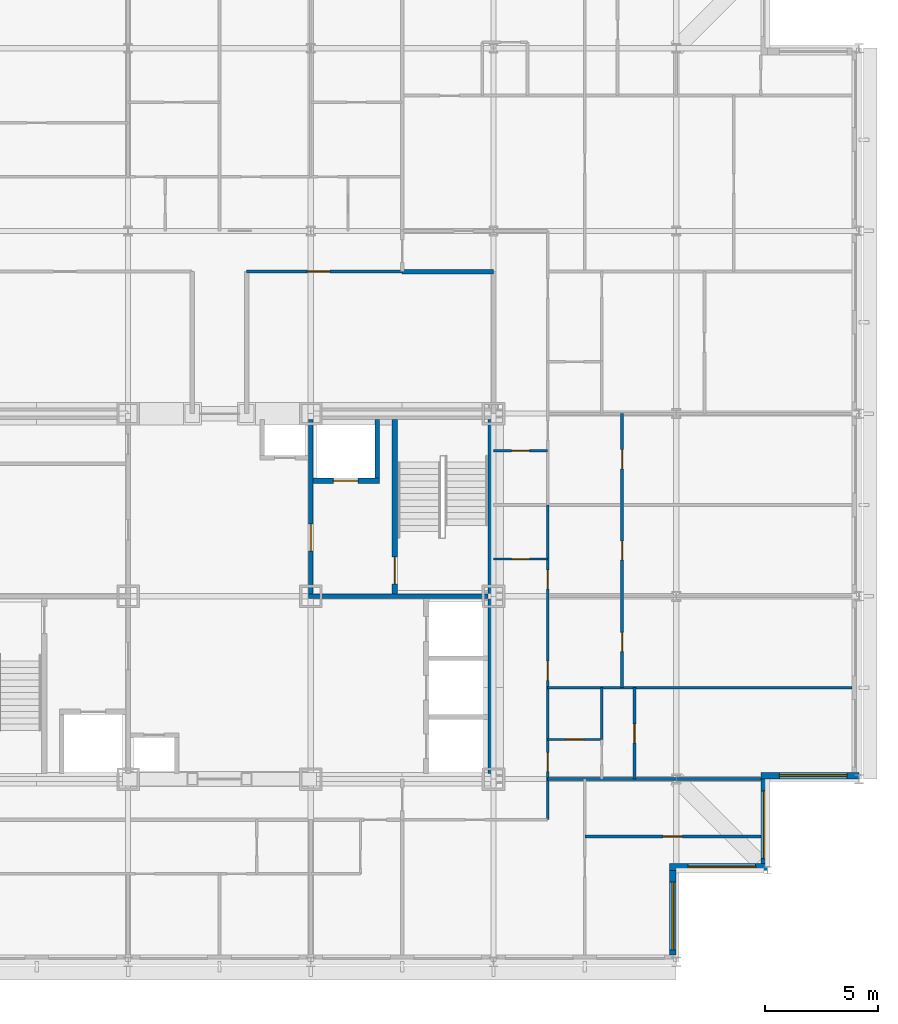
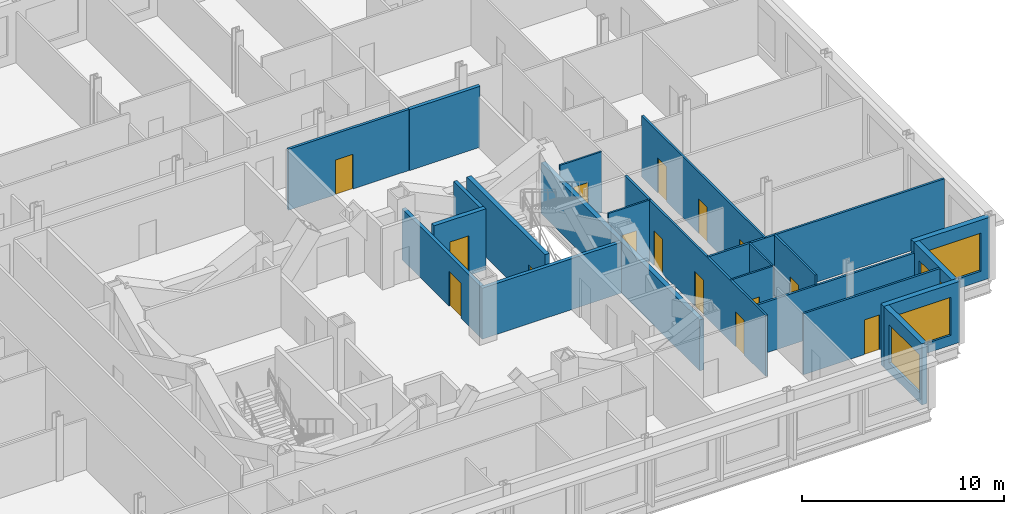
# One storey, part 10 of 15: 22 walls, 15 doors, 4 windows, 19 openings.
"""IFC4 building model written with IfcOpenShell, lengths in metres."""

from ifc_helpers import new_model, si_unit, direction, frame, frame_2d, origin, place, context, subcontext, project, spatial, rectangle, extrude, material, layer, layer_set, type_object, element, fill, save


model = new_model("IFC4")

# Units and contexts
model_context = context("Model", 3, precision=1e-05, world=origin(), true_north=direction((0.0, 1.0)))
body_context = subcontext(model_context, "Body", "Model", "MODEL_VIEW")
ifc_project = project(units=[si_unit("LENGTHUNIT", "METRE"), si_unit("AREAUNIT", "SQUARE_METRE"), si_unit("VOLUMEUNIT", "CUBIC_METRE"), si_unit("PLANEANGLEUNIT", "RADIAN"), si_unit("MASSUNIT", "GRAM", prefix="KILO")], contexts=[model_context])

# Site, building, storey
site_placement = place(None, origin())
site = spatial("IfcSite", under=ifc_project, at=site_placement, CompositionType="ELEMENT")
building_placement = place(site_placement, origin())
building = spatial("IfcBuilding", under=site, at=building_placement, Name="Kopane Lantern Tower", CompositionType="ELEMENT")
storey_placement = place(building_placement, frame((0.0, 0.0, 289.199951171875)))
storey = spatial("IfcBuildingStorey", under=building, at=storey_placement, Name="L74", CompositionType="ELEMENT", Elevation=289.199951171875)

# Wall, openings, doors
ifc_material_1 = material(Name="Gypsum board on steel studs", Category="steel")
ifc_layer_1 = layer(ifc_material_1, 0.1201171875)
ifc_layer_set_1 = layer_set([ifc_layer_1], Name="APARTMENT INTERNAL WALL 120")
wall_type_1 = type_object("IfcWallType", Name="APARTMENT INTERNAL WALL 120", PredefinedType="PARTITIONING", material=ifc_layer_set_1)
wall_1_placement = place(storey_placement, frame((42.89990234375, 22.5, 0.0), z_axis=(0.0, 0.0, 1.0), x_axis=(0.0, 1.0, 0.0)))
wall_1 = element("IfcWall", 1, at=wall_1_placement, inside=storey, type_object=wall_type_1, Name="Apartment Internal Wall 120 L74", PredefinedType="PARTITIONING", context=body_context, shape_type="SweptSolid", body=[
    extrude(rectangle(XDim=13.949951171875, YDim=0.1201171875, at=frame_2d((6.97509765625, 0.0))), origin(), (0.0, 0.0, 1.0), 3.68994140625),
])
opening_1_placement = place(wall_1_placement, frame((2.125, 0.0, 0.0)))
opening_1 = element("IfcOpeningElement", 2, at=opening_1_placement, cuts=wall_1, Name="Opening L74-042", PredefinedType="OPENING", context=body_context, shape_type="SweptSolid", body=[
    extrude(rectangle(XDim=0.85009765625, YDim=2.10009765625, at=frame_2d((0.425048828125, 1.050048828125))), frame((0.0, 0.070068359375, 0.0), z_axis=(0.0, -1.0, 0.0), x_axis=(1.0, 0.0, 0.0)), (0.0, 0.0, 1.0), 0.14013671875),
])
opening_2_placement = place(wall_1_placement, frame((6.175048828125, 0.0, 0.0)))
opening_2 = element("IfcOpeningElement", 3, at=opening_2_placement, cuts=wall_1, Name="Opening L74-043", PredefinedType="OPENING", context=body_context, shape_type="SweptSolid", body=[
    extrude(rectangle(XDim=0.85009765625, YDim=2.10009765625, at=frame_2d((0.425048828125, 1.050048828125))), frame((0.0, 0.070068359375, 0.0), z_axis=(0.0, -1.0, 0.0), x_axis=(1.0, 0.0, 0.0)), (0.0, 0.0, 1.0), 0.14013671875),
])
opening_3_placement = place(wall_1_placement, frame((10.22509765625, 0.0, 0.0)))
opening_3 = element("IfcOpeningElement", 4, at=opening_3_placement, cuts=wall_1, Name="Opening L74-044", PredefinedType="OPENING", context=body_context, shape_type="SweptSolid", body=[
    extrude(rectangle(XDim=0.85009765625, YDim=2.10009765625, at=frame_2d((0.425048828125, 1.050048828125))), frame((0.0, 0.070068359375, 0.0), z_axis=(0.0, -1.0, 0.0), x_axis=(1.0, 0.0, 0.0)), (0.0, 0.0, 1.0), 0.14013671875),
])
ifc_material_2 = material(Name="Timber door set", Category="wood")
door_type_1 = type_object("IfcDoorType", Name="DOOR D4 850x2100", OperationType="SINGLE_SWING_LEFT", PredefinedType="DOOR", material=ifc_material_2)
door_1_placement = place(opening_1_placement, origin())
door_1 = element("IfcDoor", 5, at=door_1_placement, inside=storey, type_object=door_type_1, Name="Door L74-042", OperationType="SINGLE_SWING_RIGHT", OverallHeight=2.10009765625, OverallWidth=0.85009765625, PredefinedType="DOOR", context=body_context, shape_type="SweptSolid", body=[
    extrude(rectangle(XDim=0.85009765625, YDim=2.10009765625, at=frame_2d((0.425048828125, 1.050048828125))), frame((0.0, 0.02490234375, 0.0), z_axis=(0.0, -1.0, 0.0), x_axis=(1.0, 0.0, 0.0)), (0.0, 0.0, 1.0), 0.050048828125),
])
fill(opening_1, door_1)
door_2_placement = place(opening_2_placement, origin())
door_2 = element("IfcDoor", 6, at=door_2_placement, inside=storey, type_object=door_type_1, Name="Door L74-043", OperationType="SINGLE_SWING_RIGHT", OverallHeight=2.10009765625, OverallWidth=0.85009765625, PredefinedType="DOOR", context=body_context, shape_type="SweptSolid", body=[
    extrude(rectangle(XDim=0.85009765625, YDim=2.10009765625, at=frame_2d((0.425048828125, 1.050048828125))), frame((0.0, 0.02490234375, 0.0), z_axis=(0.0, -1.0, 0.0), x_axis=(1.0, 0.0, 0.0)), (0.0, 0.0, 1.0), 0.050048828125),
])
fill(opening_2, door_2)
door_3_placement = place(opening_3_placement, origin())
door_3 = element("IfcDoor", 7, at=door_3_placement, inside=storey, type_object=door_type_1, Name="Door L74-044", OperationType="SINGLE_SWING_RIGHT", OverallHeight=2.10009765625, OverallWidth=0.85009765625, PredefinedType="DOOR", context=body_context, shape_type="SweptSolid", body=[
    extrude(rectangle(XDim=0.85009765625, YDim=2.10009765625, at=frame_2d((0.425048828125, 1.050048828125))), frame((0.0, 0.02490234375, 0.0), z_axis=(0.0, -1.0, 0.0), x_axis=(1.0, 0.0, 0.0)), (0.0, 0.0, 1.0), 0.050048828125),
])
fill(opening_3, door_3)

# Walls
wall_2_placement = place(storey_placement, frame((42.89990234375, 24.300048828125, 0.0), z_axis=(0.0, 0.0, 1.0), x_axis=(1.0, 0.0, 0.0)))
element("IfcWall", 8, at=wall_2_placement, inside=storey, type_object=wall_type_1, Name="Apartment Internal Wall 120 L74", PredefinedType="PARTITIONING", context=body_context, shape_type="SweptSolid", body=[
    extrude(rectangle(XDim=9.4501953125, YDim=0.1201171875, at=frame_2d((4.72509765625, 0.0))), origin(), (0.0, 0.0, 1.0), 3.077880859375),
])
wall_3_placement = place(storey_placement, frame((42.89990234375, 28.35009765625, 0.0), z_axis=(0.0, 0.0, 1.0), x_axis=(1.0, 0.0, 0.0)))
element("IfcWall", 9, at=wall_3_placement, inside=storey, type_object=wall_type_1, Name="Apartment Internal Wall 120 L74", PredefinedType="PARTITIONING", context=body_context, shape_type="SweptSolid", body=[
    extrude(rectangle(XDim=13.5, YDim=0.1201171875, at=frame_2d((6.75, 0.0))), origin(), (0.0, 0.0, 1.0), 3.68994140625),
])

# Wall, opening, door
wall_4_placement = place(storey_placement, frame((44.550048828125, 21.75, 0.0), z_axis=(0.0, 0.0, 1.0), x_axis=(1.0, 0.0, 0.0)))
wall_4 = element("IfcWall", 10, at=wall_4_placement, inside=storey, type_object=wall_type_1, Name="Apartment Internal Wall 120 L74", PredefinedType="PARTITIONING", context=body_context, shape_type="SweptSolid", body=[
    extrude(rectangle(XDim=7.800048828125, YDim=0.1201171875, at=frame_2d((3.89990234375, 0.0))), origin(), (0.0, 0.0, 1.0), 3.68994140625),
])
opening_4_placement = place(wall_4_placement, frame((3.47509765625, 0.0, 0.0)))
opening_4 = element("IfcOpeningElement", 11, at=opening_4_placement, cuts=wall_4, Name="Opening L74-065", PredefinedType="OPENING", context=body_context, shape_type="SweptSolid", body=[
    extrude(rectangle(XDim=0.85009765625, YDim=2.10009765625, at=frame_2d((0.425048828125, 1.050048828125))), frame((0.0, 0.070068359375, 0.0), z_axis=(0.0, -1.0, 0.0), x_axis=(1.0, 0.0, 0.0)), (0.0, 0.0, 1.0), 0.14013671875),
])
door_4_placement = place(opening_4_placement, origin())
door_4 = element("IfcDoor", 12, at=door_4_placement, inside=storey, type_object=door_type_1, Name="Door L74-065", OperationType="SINGLE_SWING_LEFT", OverallHeight=2.10009765625, OverallWidth=0.85009765625, PredefinedType="DOOR", context=body_context, shape_type="SweptSolid", body=[
    extrude(rectangle(XDim=0.85009765625, YDim=2.10009765625, at=frame_2d((0.425048828125, 1.050048828125))), frame((0.0, 0.02490234375, 0.0), z_axis=(0.0, -1.0, 0.0), x_axis=(1.0, 0.0, 0.0)), (0.0, 0.0, 1.0), 0.050048828125),
])
fill(opening_4, door_4)

wall_5_placement = place(storey_placement, frame((46.75, 24.300048828125, 0.0), z_axis=(0.0, 0.0, 1.0), x_axis=(0.0, 1.0, 0.0)))
wall_5 = element("IfcWall", 13, at=wall_5_placement, inside=storey, type_object=wall_type_1, Name="Apartment Internal Wall 120 L74", PredefinedType="PARTITIONING", context=body_context, shape_type="SweptSolid", body=[
    extrude(rectangle(XDim=4.050048828125, YDim=0.1201171875, at=frame_2d((2.02490234375, 0.0))), origin(), (0.0, 0.0, 1.0), 3.68994140625),
])
opening_5_placement = place(wall_5_placement, frame((1.60009765625, 0.0, 0.0)))
opening_5 = element("IfcOpeningElement", 14, at=opening_5_placement, cuts=wall_5, Name="Opening L74-066", PredefinedType="OPENING", context=body_context, shape_type="SweptSolid", body=[
    extrude(rectangle(XDim=0.85009765625, YDim=2.10009765625, at=frame_2d((0.425048828125, 1.050048828125))), frame((0.0, 0.070068359375, 0.0), z_axis=(0.0, -1.0, 0.0), x_axis=(1.0, 0.0, 0.0)), (0.0, 0.0, 1.0), 0.14013671875),
])
door_5_placement = place(opening_5_placement, origin())
door_5 = element("IfcDoor", 15, at=door_5_placement, inside=storey, type_object=door_type_1, Name="Door L74-066", OperationType="SINGLE_SWING_LEFT", OverallHeight=2.10009765625, OverallWidth=0.85009765625, PredefinedType="DOOR", context=body_context, shape_type="SweptSolid", body=[
    extrude(rectangle(XDim=0.85009765625, YDim=2.10009765625, at=frame_2d((0.425048828125, 1.050048828125))), frame((0.0, 0.02490234375, 0.0), z_axis=(0.0, -1.0, 0.0), x_axis=(1.0, 0.0, 0.0)), (0.0, 0.0, 1.0), 0.050048828125),
])
fill(opening_5, door_5)

# Wall, openings, doors
wall_6_placement = place(storey_placement, frame((46.199951171875, 28.35009765625, 0.0), z_axis=(0.0, 0.0, 1.0), x_axis=(0.0, 1.0, 0.0)))
wall_6 = element("IfcWall", 16, at=wall_6_placement, inside=storey, type_object=wall_type_1, Name="Apartment Internal Wall 120 L74", PredefinedType="PARTITIONING", context=body_context, shape_type="SweptSolid", body=[
    extrude(rectangle(XDim=12.14990234375, YDim=0.1201171875, at=frame_2d((6.074951171875, 0.0))), origin(), (0.0, 0.0, 1.0), 3.68994140625),
])
opening_6_placement = place(wall_6_placement, frame((1.60009765625, 0.0, 0.0)))
opening_6 = element("IfcOpeningElement", 17, at=opening_6_placement, cuts=wall_6, Name="Opening L74-067", PredefinedType="OPENING", context=body_context, shape_type="SweptSolid", body=[
    extrude(rectangle(XDim=0.85009765625, YDim=2.10009765625, at=frame_2d((0.425048828125, 1.050048828125))), frame((0.0, 0.070068359375, 0.0), z_axis=(0.0, -1.0, 0.0), x_axis=(1.0, 0.0, 0.0)), (0.0, 0.0, 1.0), 0.14013671875),
])
opening_7_placement = place(wall_6_placement, frame((5.64990234375, 0.0, 0.0)))
opening_7 = element("IfcOpeningElement", 18, at=opening_7_placement, cuts=wall_6, Name="Opening L74-068", PredefinedType="OPENING", context=body_context, shape_type="SweptSolid", body=[
    extrude(rectangle(XDim=0.85009765625, YDim=2.10009765625, at=frame_2d((0.425048828125, 1.050048828125))), frame((0.0, 0.070068359375, 0.0), z_axis=(0.0, -1.0, 0.0), x_axis=(1.0, 0.0, 0.0)), (0.0, 0.0, 1.0), 0.14013671875),
])
opening_8_placement = place(wall_6_placement, frame((9.699951171875, 0.0, 0.0)))
opening_8 = element("IfcOpeningElement", 19, at=opening_8_placement, cuts=wall_6, Name="Opening L74-072", PredefinedType="OPENING", context=body_context, shape_type="SweptSolid", body=[
    extrude(rectangle(XDim=0.85009765625, YDim=2.10009765625, at=frame_2d((0.425048828125, 1.050048828125))), frame((0.0, 0.070068359375, 0.0), z_axis=(0.0, -1.0, 0.0), x_axis=(1.0, 0.0, 0.0)), (0.0, 0.0, 1.0), 0.14013671875),
])
door_6_placement = place(opening_6_placement, origin())
door_6 = element("IfcDoor", 20, at=door_6_placement, inside=storey, type_object=door_type_1, Name="Door L74-067", OperationType="SINGLE_SWING_LEFT", OverallHeight=2.10009765625, OverallWidth=0.85009765625, PredefinedType="DOOR", context=body_context, shape_type="SweptSolid", body=[
    extrude(rectangle(XDim=0.85009765625, YDim=2.10009765625, at=frame_2d((0.425048828125, 1.050048828125))), frame((0.0, 0.02490234375, 0.0), z_axis=(0.0, -1.0, 0.0), x_axis=(1.0, 0.0, 0.0)), (0.0, 0.0, 1.0), 0.050048828125),
])
fill(opening_6, door_6)
door_7_placement = place(opening_7_placement, origin())
door_7 = element("IfcDoor", 21, at=door_7_placement, inside=storey, type_object=door_type_1, Name="Door L74-068", OperationType="SINGLE_SWING_RIGHT", OverallHeight=2.10009765625, OverallWidth=0.85009765625, PredefinedType="DOOR", context=body_context, shape_type="SweptSolid", body=[
    extrude(rectangle(XDim=0.85009765625, YDim=2.10009765625, at=frame_2d((0.425048828125, 1.050048828125))), frame((0.0, 0.02490234375, 0.0), z_axis=(0.0, -1.0, 0.0), x_axis=(1.0, 0.0, 0.0)), (0.0, 0.0, 1.0), 0.050048828125),
])
fill(opening_7, door_7)
door_8_placement = place(opening_8_placement, origin())
door_8 = element("IfcDoor", 22, at=door_8_placement, inside=storey, type_object=door_type_1, Name="Door L74-072", OperationType="SINGLE_SWING_LEFT", OverallHeight=2.10009765625, OverallWidth=0.85009765625, PredefinedType="DOOR", context=body_context, shape_type="SweptSolid", body=[
    extrude(rectangle(XDim=0.85009765625, YDim=2.10009765625, at=frame_2d((0.425048828125, 1.050048828125))), frame((0.0, 0.02490234375, 0.0), z_axis=(0.0, -1.0, 0.0), x_axis=(1.0, 0.0, 0.0)), (0.0, 0.0, 1.0), 0.050048828125),
])
fill(opening_8, door_8)

# Wall, opening, door
ifc_material_3 = material(Name="Moisture-resistant board on steel studs", Category="steel")
ifc_layer_2 = layer(ifc_material_3, 0.10009765625)
ifc_layer_set_2 = layer_set([ifc_layer_2], Name="BATHROOM WALL 100")
wall_type_2 = type_object("IfcWallType", Name="BATHROOM WALL 100", PredefinedType="PARTITIONING", material=ifc_layer_set_2)
wall_7_placement = place(storey_placement, frame((40.5, 34.050048828125, 0.0), z_axis=(0.0, 0.0, 1.0), x_axis=(1.0, 0.0, 0.0)))
wall_7 = element("IfcWall", 23, at=wall_7_placement, inside=storey, type_object=wall_type_2, Name="Bathroom Wall 100 L74", PredefinedType="PARTITIONING", context=body_context, shape_type="SweptSolid", body=[
    extrude(rectangle(XDim=2.39990234375, YDim=0.10009765625, at=frame_2d((1.199951171875, 0.0))), origin(), (0.0, 0.0, 1.0), 3.68994140625),
])
opening_9_placement = place(wall_7_placement, frame((0.800048828125, 0.0, 0.0)))
opening_9 = element("IfcOpeningElement", 24, at=opening_9_placement, cuts=wall_7, Name="Opening L74-038", PredefinedType="OPENING", context=body_context, shape_type="SweptSolid", body=[
    extrude(rectangle(XDim=0.800048828125, YDim=2.10009765625, at=frame_2d((0.39990234375, 1.050048828125))), frame((0.0, 0.06005859375, 0.0), z_axis=(0.0, -1.0, 0.0), x_axis=(1.0, 0.0, 0.0)), (0.0, 0.0, 1.0), 0.1201171875),
])
ifc_material_4 = material(Name="Timber door set", Category="wood")
door_type_2 = type_object("IfcDoorType", Name="DOOR D2 800x2100", OperationType="SINGLE_SWING_LEFT", PredefinedType="DOOR", material=ifc_material_4)
door_9_placement = place(opening_9_placement, origin())
door_9 = element("IfcDoor", 25, at=door_9_placement, inside=storey, type_object=door_type_2, Name="Door L74-038", OperationType="SINGLE_SWING_LEFT", OverallHeight=2.10009765625, OverallWidth=0.800048828125, PredefinedType="DOOR", context=body_context, shape_type="SweptSolid", body=[
    extrude(rectangle(XDim=0.800048828125, YDim=2.10009765625, at=frame_2d((0.39990234375, 1.050048828125))), frame((0.0, 0.02490234375, 0.0), z_axis=(0.0, -1.0, 0.0), x_axis=(1.0, 0.0, 0.0)), (0.0, 0.0, 1.0), 0.050048828125),
])
fill(opening_9, door_9)

wall_8_placement = place(storey_placement, frame((42.89990234375, 26.050048828125, 0.0), z_axis=(0.0, 0.0, 1.0), x_axis=(1.0, 0.0, 0.0)))
wall_8 = element("IfcWall", 26, at=wall_8_placement, inside=storey, type_object=wall_type_2, Name="Bathroom Wall 100 L74", PredefinedType="PARTITIONING", context=body_context, shape_type="SweptSolid", body=[
    extrude(rectangle(XDim=2.400146484375, YDim=0.10009765625, at=frame_2d((1.2001953125, 0.0))), origin(), (0.0, 0.0, 1.0), 3.68994140625),
])
opening_10_placement = place(wall_8_placement, frame((0.800048828125, 0.0, 0.0)))
opening_10 = element("IfcOpeningElement", 27, at=opening_10_placement, cuts=wall_8, Name="Opening L74-041", PredefinedType="OPENING", context=body_context, shape_type="SweptSolid", body=[
    extrude(rectangle(XDim=0.800048828125, YDim=2.10009765625, at=frame_2d((0.39990234375, 1.050048828125))), frame((0.0, 0.06005859375, 0.0), z_axis=(0.0, -1.0, 0.0), x_axis=(1.0, 0.0, 0.0)), (0.0, 0.0, 1.0), 0.1201171875),
])
door_10_placement = place(opening_10_placement, origin())
door_10 = element("IfcDoor", 28, at=door_10_placement, inside=storey, type_object=door_type_2, Name="Door L74-041", OperationType="SINGLE_SWING_LEFT", OverallHeight=2.10009765625, OverallWidth=0.800048828125, PredefinedType="DOOR", context=body_context, shape_type="SweptSolid", body=[
    extrude(rectangle(XDim=0.800048828125, YDim=2.10009765625, at=frame_2d((0.39990234375, 1.050048828125))), frame((0.0, 0.02490234375, 0.0), z_axis=(0.0, -1.0, 0.0), x_axis=(1.0, 0.0, 0.0)), (0.0, 0.0, 1.0), 0.050048828125),
])
fill(opening_10, door_10)

# Wall
wall_9_placement = place(storey_placement, frame((45.300048828125, 26.050048828125, 0.0), z_axis=(0.0, 0.0, 1.0), x_axis=(0.0, 1.0, 0.0)))
element("IfcWall", 29, at=wall_9_placement, inside=storey, type_object=wall_type_2, Name="Bathroom Wall 100 L74", PredefinedType="PARTITIONING", context=body_context, shape_type="SweptSolid", body=[
    extrude(rectangle(XDim=2.300048828125, YDim=0.10009765625, at=frame_2d((1.14990234375, 0.0))), origin(), (0.0, 0.0, 1.0), 3.68994140625),
])

# Wall, opening, door
wall_10_placement = place(storey_placement, frame((40.5, 38.85009765625, 0.0), z_axis=(0.0, 0.0, 1.0), x_axis=(1.0, 0.0, 0.0)))
wall_10 = element("IfcWall", 30, at=wall_10_placement, inside=storey, type_object=wall_type_2, Name="Bathroom Wall 100 L74", PredefinedType="PARTITIONING", context=body_context, shape_type="SweptSolid", body=[
    extrude(rectangle(XDim=2.39990234375, YDim=0.10009765625, at=frame_2d((1.199951171875, 0.0))), origin(), (0.0, 0.0, 1.0), 3.68994140625),
])
opening_11_placement = place(wall_10_placement, frame((0.800048828125, 0.0, 0.0)))
opening_11 = element("IfcOpeningElement", 31, at=opening_11_placement, cuts=wall_10, Name="Opening L74-046", PredefinedType="OPENING", context=body_context, shape_type="SweptSolid", body=[
    extrude(rectangle(XDim=0.800048828125, YDim=2.10009765625, at=frame_2d((0.39990234375, 1.050048828125))), frame((0.0, 0.06005859375, 0.0), z_axis=(0.0, -1.0, 0.0), x_axis=(1.0, 0.0, 0.0)), (0.0, 0.0, 1.0), 0.1201171875),
])
door_11_placement = place(opening_11_placement, origin())
door_11 = element("IfcDoor", 32, at=door_11_placement, inside=storey, type_object=door_type_2, Name="Door L74-046", OperationType="SINGLE_SWING_RIGHT", OverallHeight=2.10009765625, OverallWidth=0.800048828125, PredefinedType="DOOR", context=body_context, shape_type="SweptSolid", body=[
    extrude(rectangle(XDim=0.800048828125, YDim=2.10009765625, at=frame_2d((0.39990234375, 1.050048828125))), frame((0.0, 0.02490234375, 0.0), z_axis=(0.0, -1.0, 0.0), x_axis=(1.0, 0.0, 0.0)), (0.0, 0.0, 1.0), 0.050048828125),
])
fill(opening_11, door_11)

# Wall
ifc_material_5 = material(Name="Gypsum shaft wall EI 120", Category="gypsum")
ifc_layer_3 = layer(ifc_material_5, 0.25)
ifc_layer_set_3 = layer_set([ifc_layer_3], Name="CORE SHAFT WALL 250 EI 120")
wall_type_3 = type_object("IfcWallType", Name="CORE SHAFT WALL 250 EI 120", PredefinedType="SOLIDWALL", material=ifc_layer_set_3)
wall_11_placement = place(storey_placement, frame((40.375, 24.550048828125, 0.0), z_axis=(0.0, 0.0, 1.0), x_axis=(0.0, 1.0, 0.0)))
element("IfcWall", 33, at=wall_11_placement, inside=storey, type_object=wall_type_3, Name="Core shaft wall L74 PE", PredefinedType="SOLIDWALL", context=body_context, shape_type="SweptSolid", body=[
    extrude(rectangle(XDim=15.699951171875, YDim=0.25, at=frame_2d((7.85009765625, 0.0))), origin(), (0.0, 0.0, 1.0), 3.077880859375),
])

# Wall, opening, door
wall_12_placement = place(storey_placement, frame((36.125, 32.5, 0.0), z_axis=(0.0, 0.0, 1.0), x_axis=(0.0, 1.0, 0.0)))
wall_12 = element("IfcWall", 34, at=wall_12_placement, inside=storey, type_object=wall_type_3, Name="Core shaft wall L74 XST2", PredefinedType="SOLIDWALL", context=body_context, shape_type="SweptSolid", body=[
    extrude(rectangle(XDim=7.75, YDim=0.25, at=frame_2d((3.875, 0.0))), origin(), (0.0, 0.0, 1.0), 3.68994140625),
])
opening_12_placement = place(wall_12_placement, frame((0.449951171875, 0.0, 0.0)))
opening_12 = element("IfcOpeningElement", 35, at=opening_12_placement, cuts=wall_12, Name="Opening 74.SD2", PredefinedType="OPENING", context=body_context, shape_type="SweptSolid", body=[
    extrude(rectangle(XDim=1.199951171875, YDim=2.10009765625, at=frame_2d((0.60009765625, 1.050048828125))), frame((0.0, 0.135009765625, 0.0), z_axis=(0.0, -1.0, 0.0), x_axis=(1.0, 0.0, 0.0)), (0.0, 0.0, 1.0), 0.27001953125),
])
ifc_material_6 = material(Name="Steel door set", Category="steel")
door_type_3 = type_object("IfcDoorType", Name="STAIR DOOR 1200x2100 FD60S", OperationType="SINGLE_SWING_LEFT", PredefinedType="DOOR", material=ifc_material_6)
door_12_placement = place(opening_12_placement, origin())
door_12 = element("IfcDoor", 36, at=door_12_placement, inside=storey, type_object=door_type_3, Name="Stair door ST2 L74", OperationType="SINGLE_SWING_RIGHT", OverallHeight=2.10009765625, OverallWidth=1.199951171875, PredefinedType="DOOR", context=body_context, shape_type="SweptSolid", body=[
    extrude(rectangle(XDim=1.199951171875, YDim=2.10009765625, at=frame_2d((0.60009765625, 1.050048828125))), frame((0.0, 0.02490234375, 0.0), z_axis=(0.0, -1.0, 0.0), x_axis=(1.0, 0.0, 0.0)), (0.0, 0.0, 1.0), 0.050048828125),
])
fill(opening_12, door_12)

wall_13_placement = place(storey_placement, frame((32.5, 37.52490234375, 0.0), z_axis=(0.0, 0.0, 1.0), x_axis=(1.0, 0.0, 0.0)))
wall_13 = element("IfcWall", 37, at=wall_13_placement, inside=storey, type_object=wall_type_3, Name="Core shaft wall L74 YLF2", PredefinedType="SOLIDWALL", context=body_context, shape_type="SweptSolid", body=[
    extrude(rectangle(XDim=2.949951171875, YDim=0.25, at=frame_2d((1.47509765625, 0.0))), origin(), (0.0, 0.0, 1.0), 3.68994140625),
])
opening_13_placement = place(wall_13_placement, frame((0.89990234375, 0.0, 0.0)))
opening_13 = element("IfcOpeningElement", 38, at=opening_13_placement, cuts=wall_13, Name="Opening 74.LD-LF2", PredefinedType="OPENING", context=body_context, shape_type="SweptSolid", body=[
    extrude(rectangle(XDim=1.10009765625, YDim=2.39990234375, at=frame_2d((0.550048828125, 1.199951171875))), frame((0.0, 0.135009765625, 0.0), z_axis=(0.0, -1.0, 0.0), x_axis=(1.0, 0.0, 0.0)), (0.0, 0.0, 1.0), 0.27001953125),
])
ifc_material_7 = material(Name="Steel door set", Category="steel")
door_type_4 = type_object("IfcDoorType", Name="LIFT LANDING DOOR 1100x2400 FD60", OperationType="DOUBLE_DOOR_SLIDING", PredefinedType="DOOR", material=ifc_material_7)
door_13_placement = place(opening_13_placement, origin())
door_13 = element("IfcDoor", 39, at=door_13_placement, inside=storey, type_object=door_type_4, Name="Landing door LF2 L74", OperationType="DOUBLE_DOOR_SLIDING", OverallHeight=2.39990234375, OverallWidth=1.10009765625, PredefinedType="DOOR", context=body_context, shape_type="SweptSolid", body=[
    extrude(rectangle(XDim=1.10009765625, YDim=2.39990234375, at=frame_2d((0.550048828125, 1.199951171875))), frame((0.0, 0.02490234375, 0.0), z_axis=(0.0, -1.0, 0.0), x_axis=(1.0, 0.0, 0.0)), (0.0, 0.0, 1.0), 0.050048828125),
])
fill(opening_13, door_13)

ifc_material_8 = material(Name="Gypsum board on steel studs", Category="steel")
ifc_layer_4 = layer(ifc_material_8, 0.14990234375)
ifc_layer_set_4 = layer_set([ifc_layer_4], Name="CORRIDOR WALL 150 EI 60")
wall_type_4 = type_object("IfcWallType", Name="CORRIDOR WALL 150 EI 60", PredefinedType="PARTITIONING", material=ifc_layer_set_4)
wall_14_placement = place(storey_placement, frame((29.56005859375, 46.800048828125, 0.0), z_axis=(0.0, 0.0, 1.0), x_axis=(1.0, 0.0, 0.0)))
wall_14 = element("IfcWall", 40, at=wall_14_placement, inside=storey, type_object=wall_type_4, Name="Corridor Wall 150 Ei 60 L74", PredefinedType="PARTITIONING", context=body_context, shape_type="SweptSolid", body=[
    extrude(rectangle(XDim=6.889892578125, YDim=0.14990234375, at=frame_2d((3.44482421875, 0.0))), origin(), (0.0, 0.0, 1.0), 3.68994140625),
])
opening_14_placement = place(wall_14_placement, frame((2.68994140625, 0.0, 0.0)))
opening_14 = element("IfcOpeningElement", 41, at=opening_14_placement, cuts=wall_14, Name="Opening L74-005", PredefinedType="OPENING", context=body_context, shape_type="SweptSolid", body=[
    extrude(rectangle(XDim=1.0, YDim=2.10009765625, at=frame_2d((0.5, 1.050048828125))), frame((0.0, 0.0849609375, 0.0), z_axis=(0.0, -1.0, 0.0), x_axis=(1.0, 0.0, 0.0)), (0.0, 0.0, 1.0), 0.169921875),
])
ifc_material_9 = material(Name="Steel door set", Category="steel")
door_type_5 = type_object("IfcDoorType", Name="DOOR D5 1000x2100 FD60", OperationType="SINGLE_SWING_LEFT", PredefinedType="DOOR", material=ifc_material_9)
door_14_placement = place(opening_14_placement, origin())
door_14 = element("IfcDoor", 42, at=door_14_placement, inside=storey, type_object=door_type_5, Name="Door L74-005", OperationType="SINGLE_SWING_RIGHT", OverallHeight=2.10009765625, OverallWidth=1.0, PredefinedType="DOOR", context=body_context, shape_type="SweptSolid", body=[
    extrude(rectangle(XDim=1.0, YDim=2.10009765625, at=frame_2d((0.5, 1.050048828125))), frame((0.0, 0.02490234375, 0.0), z_axis=(0.0, -1.0, 0.0), x_axis=(1.0, 0.0, 0.0)), (0.0, 0.0, 1.0), 0.050048828125),
])
fill(opening_14, door_14)

# Wall, opening, window
ifc_material_10 = material(Name="Terracotta rainscreen on light steel framing", Category="masonry")
ifc_layer_5 = layer(ifc_material_10, 0.300048828125)
ifc_layer_set_5 = layer_set([ifc_layer_5], Name="EXTERNAL WALL EW1 300 TERRACOTTA")
wall_type_5 = type_object("IfcWallType", Name="EXTERNAL WALL EW1 300 TERRACOTTA", PredefinedType="SOLIDWALL", material=ifc_layer_set_5)
wall_15_placement = place(storey_placement, frame((48.449951171875, 16.5, 0.0), z_axis=(0.0, 0.0, 1.0), x_axis=(0.0, 1.0, 0.0)))
wall_15 = element("IfcWall", 43, at=wall_15_placement, inside=storey, type_object=wall_type_5, Name="External wall E L74", PredefinedType="SOLIDWALL", context=body_context, shape_type="SweptSolid", body=[
    extrude(rectangle(XDim=3.75, YDim=0.300048828125, at=frame_2d((1.875, 0.0))), origin(), (0.0, 0.0, 1.0), 3.68994140625),
])
opening_15_placement = place(wall_15_placement, frame((0.22509765625, 0.0, 0.60009765625)))
opening_15 = element("IfcOpeningElement", 44, at=opening_15_placement, cuts=wall_15, Name="Opening WR300230", PredefinedType="OPENING", context=body_context, shape_type="SweptSolid", body=[
    extrude(rectangle(XDim=3.0, YDim=2.300048828125, at=frame_2d((1.5, 1.14990234375))), frame((0.0, 0.159912109375, 0.0), z_axis=(0.0, -1.0, 0.0), x_axis=(1.0, 0.0, 0.0)), (0.0, 0.0, 1.0), 0.320068359375),
])
ifc_material_11 = material(Name="Aluminium and clear glass", Category="aluminium")
window_type = type_object("IfcWindowType", Name="RIBBON WINDOW WR300230 3000x2300", PartitioningType="SINGLE_PANEL", PredefinedType="WINDOW", material=ifc_material_11)
window_1_placement = place(opening_15_placement, origin())
window_1 = element("IfcWindow", 45, at=window_1_placement, inside=storey, type_object=window_type, Name="Window E L74", OverallHeight=2.300048828125, OverallWidth=3.0, PartitioningType="SINGLE_PANEL", PredefinedType="WINDOW", context=body_context, shape_type="SweptSolid", body=[
    extrude(rectangle(XDim=3.0, YDim=2.300048828125, at=frame_2d((1.5, 1.14990234375))), frame((0.0, 0.030029296875, 0.0), z_axis=(0.0, -1.0, 0.0), x_axis=(1.0, 0.0, 0.0)), (0.0, 0.0, 1.0), 0.06005859375),
])
fill(opening_15, window_1)

wall_16_placement = place(storey_placement, frame((48.300048828125, 20.39990234375, 0.0), z_axis=(0.0, 0.0, 1.0), x_axis=(1.0, 0.0, 0.0)))
wall_16 = element("IfcWall", 46, at=wall_16_placement, inside=storey, type_object=wall_type_5, Name="External wall S L74", PredefinedType="SOLIDWALL", context=body_context, shape_type="SweptSolid", body=[
    extrude(rectangle(XDim=4.349853515625, YDim=0.300048828125, at=frame_2d((2.1748046875, 0.0))), origin(), (0.0, 0.0, 1.0), 3.68994140625),
])
opening_16_placement = place(wall_16_placement, frame((0.824951171875, 0.0, 0.60009765625)))
opening_16 = element("IfcOpeningElement", 47, at=opening_16_placement, cuts=wall_16, Name="Opening WR300230", PredefinedType="OPENING", context=body_context, shape_type="SweptSolid", body=[
    extrude(rectangle(XDim=3.0, YDim=2.300048828125, at=frame_2d((1.5, 1.14990234375))), frame((0.0, 0.159912109375, 0.0), z_axis=(0.0, -1.0, 0.0), x_axis=(1.0, 0.0, 0.0)), (0.0, 0.0, 1.0), 0.320068359375),
])
window_2_placement = place(opening_16_placement, origin())
window_2 = element("IfcWindow", 48, at=window_2_placement, inside=storey, type_object=window_type, Name="Window S L74", OverallHeight=2.300048828125, OverallWidth=3.0, PartitioningType="SINGLE_PANEL", PredefinedType="WINDOW", context=body_context, shape_type="SweptSolid", body=[
    extrude(rectangle(XDim=3.0, YDim=2.300048828125, at=frame_2d((1.5, 1.14990234375))), frame((0.0, 0.030029296875, 0.0), z_axis=(0.0, -1.0, 0.0), x_axis=(1.0, 0.0, 0.0)), (0.0, 0.0, 1.0), 0.06005859375),
])
fill(opening_16, window_2)

wall_17_placement = place(storey_placement, frame((52.5, 20.550048828125, 0.0), z_axis=(0.0, 0.0, 1.0), x_axis=(0.0, 1.0, 0.0)))
wall_17 = element("IfcWall", 49, at=wall_17_placement, inside=storey, type_object=wall_type_5, Name="External wall E L74", PredefinedType="SOLIDWALL", context=body_context, shape_type="SweptSolid", body=[
    extrude(rectangle(XDim=3.75, YDim=0.300048828125, at=frame_2d((1.875, 0.0))), origin(), (0.0, 0.0, 1.0), 3.68994140625),
])
opening_17_placement = place(wall_17_placement, frame((0.22509765625, 0.0, 0.60009765625)))
opening_17 = element("IfcOpeningElement", 50, at=opening_17_placement, cuts=wall_17, Name="Opening WR300230", PredefinedType="OPENING", context=body_context, shape_type="SweptSolid", body=[
    extrude(rectangle(XDim=3.0, YDim=2.300048828125, at=frame_2d((1.5, 1.14990234375))), frame((0.0, 0.159912109375, 0.0), z_axis=(0.0, -1.0, 0.0), x_axis=(1.0, 0.0, 0.0)), (0.0, 0.0, 1.0), 0.320068359375),
])
window_3_placement = place(opening_17_placement, origin())
window_3 = element("IfcWindow", 51, at=window_3_placement, inside=storey, type_object=window_type, Name="Window E L74", OverallHeight=2.300048828125, OverallWidth=3.0, PartitioningType="SINGLE_PANEL", PredefinedType="WINDOW", context=body_context, shape_type="SweptSolid", body=[
    extrude(rectangle(XDim=3.0, YDim=2.300048828125, at=frame_2d((1.5, 1.14990234375))), frame((0.0, 0.030029296875, 0.0), z_axis=(0.0, -1.0, 0.0), x_axis=(1.0, 0.0, 0.0)), (0.0, 0.0, 1.0), 0.06005859375),
])
fill(opening_17, window_3)

wall_18_placement = place(storey_placement, frame((52.35009765625, 24.449951171875, 0.0), z_axis=(0.0, 0.0, 1.0), x_axis=(1.0, 0.0, 0.0)))
wall_18 = element("IfcWall", 52, at=wall_18_placement, inside=storey, type_object=wall_type_5, Name="External wall S L74", PredefinedType="SOLIDWALL", context=body_context, shape_type="SweptSolid", body=[
    extrude(rectangle(XDim=4.349853515625, YDim=0.300048828125, at=frame_2d((2.1748046875, 0.0))), origin(), (0.0, 0.0, 1.0), 3.68994140625),
])
opening_18_placement = place(wall_18_placement, frame((0.824951171875, 0.0, 0.60009765625)))
opening_18 = element("IfcOpeningElement", 53, at=opening_18_placement, cuts=wall_18, Name="Opening WR300230", PredefinedType="OPENING", context=body_context, shape_type="SweptSolid", body=[
    extrude(rectangle(XDim=3.0, YDim=2.300048828125, at=frame_2d((1.5, 1.14990234375))), frame((0.0, 0.159912109375, 0.0), z_axis=(0.0, -1.0, 0.0), x_axis=(1.0, 0.0, 0.0)), (0.0, 0.0, 1.0), 0.320068359375),
])
window_4_placement = place(opening_18_placement, origin())
window_4 = element("IfcWindow", 54, at=window_4_placement, inside=storey, type_object=window_type, Name="Window S L74", OverallHeight=2.300048828125, OverallWidth=3.0, PartitioningType="SINGLE_PANEL", PredefinedType="WINDOW", context=body_context, shape_type="SweptSolid", body=[
    extrude(rectangle(XDim=3.0, YDim=2.300048828125, at=frame_2d((1.5, 1.14990234375))), frame((0.0, 0.030029296875, 0.0), z_axis=(0.0, -1.0, 0.0), x_axis=(1.0, 0.0, 0.0)), (0.0, 0.0, 1.0), 0.06005859375),
])
fill(opening_18, window_4)

# Walls
ifc_material_12 = material(Name="Concrete masonry", Category="masonry")
ifc_layer_6 = layer(ifc_material_12, 0.199951171875)
ifc_layer_set_6 = layer_set([ifc_layer_6], Name="PLANT ROOM WALL 200 EI 120")
wall_type_6 = type_object("IfcWallType", Name="PLANT ROOM WALL 200 EI 120", PredefinedType="SOLIDWALL", material=ifc_layer_set_6)
wall_19_placement = place(storey_placement, frame((36.449951171875, 46.800048828125, 0.0), z_axis=(0.0, 0.0, 1.0), x_axis=(1.0, 0.0, 0.0)))
element("IfcWall", 55, at=wall_19_placement, inside=storey, type_object=wall_type_6, Name="Plant Room Wall 200 Ei 120 L74", PredefinedType="SOLIDWALL", context=body_context, shape_type="SweptSolid", body=[
    extrude(rectangle(XDim=4.050048828125, YDim=0.199951171875, at=frame_2d((2.02490234375, 0.0))), origin(), (0.0, 0.0, 1.0), 3.68994140625),
])
ifc_material_13 = material(Name="Gypsum shaft wall EI 120", Category="gypsum")
ifc_layer_7 = layer(ifc_material_13, 0.199951171875)
ifc_layer_set_7 = layer_set([ifc_layer_7], Name="SHAFT WALL 200 EI 120")
wall_type_7 = type_object("IfcWallType", Name="SHAFT WALL 200 EI 120", PredefinedType="SOLIDWALL", material=ifc_layer_set_7)
wall_20_placement = place(storey_placement, frame((32.300048828125, 32.39990234375, 0.0), z_axis=(0.0, 0.0, 1.0), x_axis=(1.0, 0.0, 0.0)))
element("IfcWall", 56, at=wall_20_placement, inside=storey, type_object=wall_type_7, Name="Core shaft wall L74 Y324E", PredefinedType="SOLIDWALL", context=body_context, shape_type="SweptSolid", body=[
    extrude(rectangle(XDim=7.949951171875, YDim=0.199951171875, at=frame_2d((3.97509765625, 0.0))), origin(), (0.0, 0.0, 1.0), 3.077880859375),
])

# Wall, opening, door
wall_21_placement = place(storey_placement, frame((32.39990234375, 32.5, 0.0), z_axis=(0.0, 0.0, 1.0), x_axis=(0.0, 1.0, 0.0)))
wall_21 = element("IfcWall", 57, at=wall_21_placement, inside=storey, type_object=wall_type_7, Name="Core shaft wall L74 X324", PredefinedType="SOLIDWALL", context=body_context, shape_type="SweptSolid", body=[
    extrude(rectangle(XDim=7.75, YDim=0.199951171875, at=frame_2d((3.875, 0.0))), origin(), (0.0, 0.0, 1.0), 3.077880859375),
])
opening_19_placement = place(wall_21_placement, frame((1.89990234375, 0.0, 0.0)))
opening_19 = element("IfcOpeningElement", 58, at=opening_19_placement, cuts=wall_21, Name="Opening 74.FL2", PredefinedType="OPENING", context=body_context, shape_type="SweptSolid", body=[
    extrude(rectangle(XDim=1.199951171875, YDim=2.10009765625, at=frame_2d((0.60009765625, 1.050048828125))), frame((0.0, 0.10986328125, 0.0), z_axis=(0.0, -1.0, 0.0), x_axis=(1.0, 0.0, 0.0)), (0.0, 0.0, 1.0), 0.219970703125),
])
ifc_material_14 = material(Name="Steel door set", Category="steel")
door_type_6 = type_object("IfcDoorType", Name="FIREFIGHTING LOBBY DOOR 1200x2100 FD60S", OperationType="SINGLE_SWING_RIGHT", PredefinedType="DOOR", material=ifc_material_14)
door_15_placement = place(opening_19_placement, origin())
door_15 = element("IfcDoor", 59, at=door_15_placement, inside=storey, type_object=door_type_6, Name="Firefighting lobby door FL2 L74", OperationType="SINGLE_SWING_LEFT", OverallHeight=2.10009765625, OverallWidth=1.199951171875, PredefinedType="DOOR", context=body_context, shape_type="SweptSolid", body=[
    extrude(rectangle(XDim=1.199951171875, YDim=2.10009765625, at=frame_2d((0.60009765625, 1.050048828125))), frame((0.0, 0.02490234375, 0.0), z_axis=(0.0, -1.0, 0.0), x_axis=(1.0, 0.0, 0.0)), (0.0, 0.0, 1.0), 0.050048828125),
])
fill(opening_19, door_15)

# Wall
wall_22_placement = place(storey_placement, frame((35.35009765625, 37.64990234375, 0.0), z_axis=(0.0, 0.0, 1.0), x_axis=(0.0, 1.0, 0.0)))
element("IfcWall", 60, at=wall_22_placement, inside=storey, type_object=wall_type_7, Name="Core shaft wall L74 XLF2", PredefinedType="SOLIDWALL", context=body_context, shape_type="SweptSolid", body=[
    extrude(rectangle(XDim=2.60009765625, YDim=0.199951171875, at=frame_2d((1.300048828125, 0.0))), origin(), (0.0, 0.0, 1.0), 3.68994140625),
])

save(model, "model.ifc")
